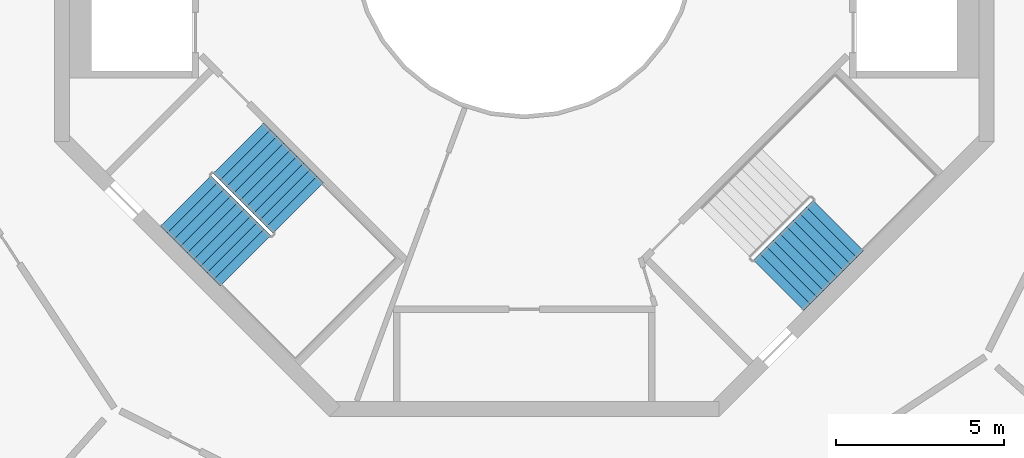
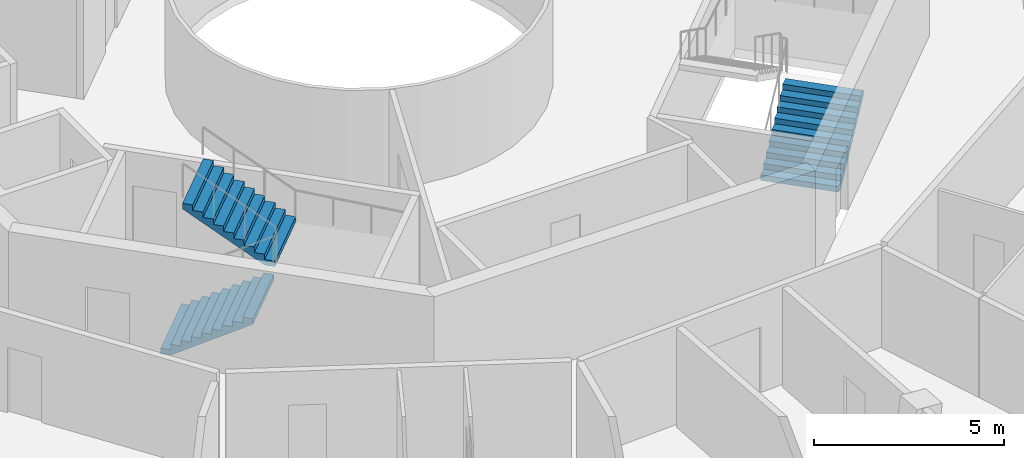
# One storey, part 24 of 26: 3 stair flights, 2 elements without a shape of their own.
"""IFC4 building model written with IfcOpenShell, lengths in metres."""

from ifc_helpers import new_model, si_unit, direction, frame, origin, place, context, subcontext, project, spatial, triangles, material, type_object, element, aggregate, save


model = new_model("IFC4")

# Units and contexts
model_context = context("Model", 3, precision=1e-05, world=origin(), true_north=direction((0.0, 1.0)))
body_context = subcontext(model_context, "Body", "Model", "MODEL_VIEW")
ifc_project = project(units=[si_unit("LENGTHUNIT", "METRE"), si_unit("AREAUNIT", "SQUARE_METRE"), si_unit("VOLUMEUNIT", "CUBIC_METRE"), si_unit("PLANEANGLEUNIT", "RADIAN"), si_unit("MASSUNIT", "GRAM", prefix="KILO")], contexts=[model_context])

# Site, building, storey
site_placement = place(None, origin())
site = spatial("IfcSite", under=ifc_project, at=site_placement, CompositionType="ELEMENT")
building_placement = place(site_placement, origin())
building = spatial("IfcBuilding", under=site, at=building_placement, Name="Verdalira Terraces Hotel", CompositionType="ELEMENT")
storey_placement = place(building_placement, frame((0.0, 0.0, 291.5)))
storey = spatial("IfcBuildingStorey", under=building, at=storey_placement, Name="L72", CompositionType="ELEMENT", Elevation=291.5)

# Stair, stair flights
ifc_material_1 = material(Name="Concrete C40", Category="concrete")
stair_type = type_object("IfcStairType", Name="Core stair 20 risers 2125 mm wide", PredefinedType="HALF_TURN_STAIR", material=ifc_material_1)
stair_1_placement = place(storey_placement, origin())
stair_1 = element("IfcStair", 1, at=stair_1_placement, inside=storey, type_object=stair_type, Name="L72 Exit stair ST2", PredefinedType="HALF_TURN_STAIR")
ifc_material_2 = material(Name="Concrete C40", Category="concrete")
stair_flight_type = type_object("IfcStairFlightType", Name="Core stair flight 20 risers 2125 mm wide", PredefinedType="STRAIGHT", material=ifc_material_2)
stair_flight_1_placement = place(storey_placement, frame((-10.085205, -7.574951, 0.0), z_axis=(0.0, 0.0, 1.0), x_axis=(0.707106781, -0.707106781, 0.0)))
stair_flight_1 = element("IfcStairFlight", 2, at=stair_flight_1_placement, type_object=stair_flight_type, Name="ST2 flight 1", NumberOfRisers=10, NumberOfTreads=9, PredefinedType="STRAIGHT", RiserHeight=0.175, TreadLength=0.28, context=body_context, shape_type="Tessellation", body=[
    triangles([(0.0, 1.0625, 0.0), (0.282715, 1.0625, 0.0), (2.52002, 1.0625, 1.398193), (0.0, -1.0625, 0.0), (0.282715, -1.0625, 0.0), (2.52002, -1.0625, 1.398193), (2.52002, 1.0625, 1.574951), (2.23999, 1.0625, 1.574951), (2.52002, -1.0625, 1.574951), (2.23999, -1.0625, 1.574951), (2.23999, 1.0625, 1.399902), (2.23999, -1.0625, 1.399902), (1.959961, 1.0625, 1.399902), (1.959961, -1.0625, 1.399902), (1.959961, 1.0625, 1.225098), (1.959961, -1.0625, 1.225098), (1.679932, 1.0625, 1.225098), (1.679932, 1.0625, 1.050049), (1.679932, -1.0625, 1.225098), (1.679932, -1.0625, 1.050049), (1.399902, 1.0625, 1.050049), (1.399902, 1.0625, 0.875), (1.399902, -1.0625, 1.050049), (1.399902, -1.0625, 0.875), (1.120117, 1.0625, 0.875), (1.120117, 1.0625, 0.699951), (1.120117, -1.0625, 0.875), (1.120117, -1.0625, 0.699951), (0.840088, 1.0625, 0.699951), (0.840088, 1.0625, 0.524902), (0.840088, -1.0625, 0.699951), (0.840088, -1.0625, 0.524902), (0.560059, 1.0625, 0.524902), (0.560059, 1.0625, 0.350098), (0.560059, -1.0625, 0.524902), (0.560059, -1.0625, 0.350098), (0.280029, 1.0625, 0.350098), (0.280029, 1.0625, 0.175049), (0.280029, -1.0625, 0.350098), (0.280029, -1.0625, 0.175049), (0.0, 1.0625, 0.175049), (0.0, -1.0625, 0.175049), (0.0, -0.996094, 0.0), (0.0, -0.996094, 0.175049), (0.0, -0.929688, 0.0), (0.0, -0.929688, 0.175049), (0.0, -0.863281, 0.0), (0.0, -0.863281, 0.175049), (0.0, -0.796875, 0.0), (0.0, -0.796875, 0.175049), (0.0, -0.730469, 0.0), (0.0, -0.730469, 0.175049), (0.0, -0.664062, 0.0), (0.0, -0.664062, 0.175049), (0.0, -0.597656, 0.0), (0.0, -0.597656, 0.175049), (0.0, -0.53125, 0.0), (0.0, -0.53125, 0.175049), (0.0, -0.464844, 0.0), (0.0, -0.464844, 0.175049), (0.0, -0.398438, 0.0), (0.0, -0.398438, 0.175049), (0.0, -0.332031, 0.0), (0.0, -0.332031, 0.175049), (0.0, -0.265625, 0.0), (0.0, -0.265625, 0.175049), (0.0, -0.199219, 0.0), (0.0, -0.199219, 0.175049), (0.0, -0.132812, 0.0), (0.0, -0.132812, 0.175049), (0.0, -0.066406, 0.0), (0.0, -0.066406, 0.175049), (0.0, 0.0, 0.0), (0.0, 0.0, 0.175049), (0.0, 0.066406, 0.0), (0.0, 0.066406, 0.175049), (0.0, 0.132812, 0.0), (0.0, 0.132812, 0.175049), (0.0, 0.199219, 0.0), (0.0, 0.199219, 0.175049), (0.0, 0.265625, 0.0), (0.0, 0.265625, 0.175049), (0.0, 0.332031, 0.0), (0.0, 0.332031, 0.175049), (0.0, 0.398438, 0.0), (0.0, 0.398438, 0.175049), (0.0, 0.464844, 0.0), (0.0, 0.464844, 0.175049), (0.0, 0.53125, 0.0), (0.0, 0.53125, 0.175049), (0.0, 0.597656, 0.0), (0.0, 0.597656, 0.175049), (0.0, 0.664062, 0.0), (0.0, 0.664062, 0.175049), (0.0, 0.730469, 0.0), (0.0, 0.730469, 0.175049), (0.0, 0.796875, 0.0), (0.0, 0.796875, 0.175049), (0.0, 0.863281, 0.0), (0.0, 0.863281, 0.175049), (0.0, 0.929688, 0.0), (0.0, 0.929688, 0.175049), (0.0, 0.996094, 0.0), (0.0, 0.996094, 0.175049), (2.52002, -0.996094, 1.574951), (2.52002, -0.929688, 1.574951), (2.52002, -0.863281, 1.574951), (2.52002, -0.796875, 1.574951), (2.52002, -0.730469, 1.574951), (2.52002, -0.664062, 1.574951), (2.52002, -0.597656, 1.574951), (2.52002, -0.53125, 1.574951), (2.52002, -0.464844, 1.574951), (2.52002, -0.398438, 1.574951), (2.52002, -0.332031, 1.574951), (2.52002, -0.265625, 1.574951), (2.52002, -0.199219, 1.574951), (2.52002, -0.132812, 1.574951), (2.52002, -0.066406, 1.574951), (2.52002, 0.0, 1.574951), (2.52002, 0.066406, 1.574951), (2.52002, 0.132812, 1.574951), (2.52002, 0.199219, 1.574951), (2.52002, 0.265625, 1.574951), (2.52002, 0.332031, 1.574951), (2.52002, 0.398438, 1.574951), (2.52002, 0.464844, 1.574951), (2.52002, 0.53125, 1.574951), (2.52002, 0.597656, 1.574951), (2.52002, 0.664062, 1.574951), (2.52002, 0.730469, 1.574951), (2.52002, 0.796875, 1.574951), (2.52002, 0.863281, 1.574951), (2.52002, 0.929688, 1.574951), (2.52002, 0.996094, 1.574951), (2.52002, -0.996094, 1.398193), (2.52002, -0.929688, 1.398193), (2.52002, -0.863281, 1.398193), (2.52002, -0.796875, 1.398193), (2.52002, -0.730469, 1.398193), (2.52002, -0.664062, 1.398193), (2.52002, -0.597656, 1.398193), (2.52002, -0.53125, 1.398193), (2.52002, -0.464844, 1.398193), (2.52002, -0.398438, 1.398193), (2.52002, -0.332031, 1.398193), (2.52002, -0.265625, 1.398193), (2.52002, -0.199219, 1.398193), (2.52002, -0.132812, 1.398193), (2.52002, -0.066406, 1.398193), (2.52002, 0.0, 1.398193), (2.52002, 0.066406, 1.398193), (2.52002, 0.132812, 1.398193), (2.52002, 0.199219, 1.398193), (2.52002, 0.265625, 1.398193), (2.52002, 0.332031, 1.398193), (2.52002, 0.398438, 1.398193), (2.52002, 0.464844, 1.398193), (2.52002, 0.53125, 1.398193), (2.52002, 0.597656, 1.398193), (2.52002, 0.664062, 1.398193), (2.52002, 0.730469, 1.398193), (2.52002, 0.796875, 1.398193), (2.52002, 0.863281, 1.398193), (2.52002, 0.929688, 1.398193), (2.52002, 0.996094, 1.398193)], [[1, 3, 2], [4, 5, 6], [3, 8, 7], [6, 9, 10], [3, 11, 8], [6, 10, 12], [3, 13, 11], [6, 12, 14], [3, 15, 13], [6, 14, 16], [15, 18, 17], [16, 19, 20], [3, 18, 15], [6, 16, 20], [18, 22, 21], [20, 23, 24], [3, 22, 18], [6, 20, 24], [22, 26, 25], [24, 27, 28], [3, 26, 22], [6, 24, 28], [26, 30, 29], [28, 31, 32], [3, 30, 26], [6, 28, 32], [1, 30, 3], [4, 6, 32], [30, 34, 33], [32, 35, 36], [34, 38, 37], [36, 39, 40], [30, 38, 34], [32, 36, 40], [1, 38, 30], [4, 32, 40], [38, 1, 41], [40, 42, 4], [4, 44, 43], [4, 42, 44], [43, 46, 45], [43, 44, 46], [45, 48, 47], [45, 46, 48], [47, 50, 49], [47, 48, 50], [49, 52, 51], [49, 50, 52], [51, 54, 53], [51, 52, 54], [53, 56, 55], [53, 54, 56], [55, 58, 57], [55, 56, 58], [57, 60, 59], [57, 58, 60], [59, 62, 61], [59, 60, 62], [61, 64, 63], [61, 62, 64], [63, 66, 65], [63, 64, 66], [65, 68, 67], [65, 66, 68], [67, 70, 69], [67, 68, 70], [69, 72, 71], [69, 70, 72], [71, 74, 73], [71, 72, 74], [73, 76, 75], [73, 74, 76], [75, 78, 77], [75, 76, 78], [77, 80, 79], [77, 78, 80], [79, 82, 81], [79, 80, 82], [81, 84, 83], [81, 82, 84], [83, 86, 85], [83, 84, 86], [85, 88, 87], [85, 86, 88], [87, 90, 89], [87, 88, 90], [89, 92, 91], [89, 90, 92], [91, 94, 93], [91, 92, 94], [93, 96, 95], [93, 94, 96], [95, 98, 97], [95, 96, 98], [97, 100, 99], [97, 98, 100], [99, 102, 101], [99, 100, 102], [101, 104, 103], [101, 102, 104], [103, 41, 1], [103, 104, 41], [42, 40, 44], [44, 40, 46], [46, 40, 48], [48, 40, 50], [50, 40, 52], [52, 40, 54], [54, 40, 56], [56, 40, 58], [58, 40, 60], [60, 40, 62], [62, 40, 64], [64, 40, 66], [66, 40, 68], [68, 40, 70], [70, 40, 72], [72, 40, 74], [74, 40, 76], [76, 40, 78], [78, 40, 80], [80, 40, 82], [82, 40, 84], [84, 40, 86], [86, 40, 88], [88, 40, 90], [90, 40, 92], [92, 40, 94], [94, 40, 96], [96, 40, 98], [98, 40, 100], [100, 40, 102], [102, 40, 104], [104, 40, 41], [41, 40, 38], [40, 37, 38], [40, 39, 37], [39, 34, 37], [39, 36, 34], [36, 33, 34], [36, 35, 33], [35, 30, 33], [35, 32, 30], [32, 29, 30], [32, 31, 29], [31, 26, 29], [31, 28, 26], [28, 25, 26], [28, 27, 25], [27, 22, 25], [27, 24, 22], [24, 21, 22], [24, 23, 21], [23, 18, 21], [23, 20, 18], [20, 17, 18], [20, 19, 17], [19, 15, 17], [19, 16, 15], [16, 13, 15], [16, 14, 13], [14, 11, 13], [14, 12, 11], [12, 8, 11], [12, 10, 8], [9, 105, 10], [105, 106, 10], [106, 107, 10], [107, 108, 10], [108, 109, 10], [109, 110, 10], [110, 111, 10], [111, 112, 10], [112, 113, 10], [113, 114, 10], [114, 115, 10], [115, 116, 10], [116, 117, 10], [117, 118, 10], [118, 119, 10], [119, 120, 10], [120, 121, 10], [121, 122, 10], [122, 123, 10], [123, 124, 10], [124, 125, 10], [125, 126, 10], [126, 127, 10], [127, 128, 10], [128, 129, 10], [129, 130, 10], [130, 131, 10], [131, 132, 10], [132, 133, 10], [133, 134, 10], [134, 135, 10], [135, 7, 10], [7, 8, 10], [9, 136, 105], [9, 6, 136], [105, 137, 106], [105, 136, 137], [106, 138, 107], [106, 137, 138], [107, 139, 108], [107, 138, 139], [108, 140, 109], [108, 139, 140], [109, 141, 110], [109, 140, 141], [110, 142, 111], [110, 141, 142], [111, 143, 112], [111, 142, 143], [112, 144, 113], [112, 143, 144], [113, 145, 114], [113, 144, 145], [114, 146, 115], [114, 145, 146], [115, 147, 116], [115, 146, 147], [116, 148, 117], [116, 147, 148], [117, 149, 118], [117, 148, 149], [118, 150, 119], [118, 149, 150], [119, 151, 120], [119, 150, 151], [120, 152, 121], [120, 151, 152], [121, 153, 122], [121, 152, 153], [122, 154, 123], [122, 153, 154], [123, 155, 124], [123, 154, 155], [124, 156, 125], [124, 155, 156], [125, 157, 126], [125, 156, 157], [126, 158, 127], [126, 157, 158], [127, 159, 128], [127, 158, 159], [128, 160, 129], [128, 159, 160], [129, 161, 130], [129, 160, 161], [130, 162, 131], [130, 161, 162], [131, 163, 132], [131, 162, 163], [132, 164, 133], [132, 163, 164], [133, 165, 134], [133, 164, 165], [134, 166, 135], [134, 165, 166], [135, 3, 7], [135, 166, 3], [6, 5, 136], [136, 5, 137], [137, 5, 138], [138, 5, 139], [139, 5, 140], [140, 5, 141], [141, 5, 142], [142, 5, 143], [143, 5, 144], [144, 5, 145], [145, 5, 146], [146, 5, 147], [147, 5, 148], [148, 5, 149], [149, 5, 150], [150, 5, 151], [151, 5, 152], [152, 5, 153], [153, 5, 154], [154, 5, 155], [155, 5, 156], [156, 5, 157], [157, 5, 158], [158, 5, 159], [159, 5, 160], [160, 5, 161], [161, 5, 162], [162, 5, 163], [163, 5, 164], [164, 5, 165], [165, 5, 166], [166, 5, 3], [3, 5, 2], [4, 43, 5], [43, 45, 5], [45, 47, 5], [47, 49, 5], [49, 51, 5], [51, 53, 5], [53, 55, 5], [55, 57, 5], [57, 59, 5], [59, 61, 5], [61, 63, 5], [63, 65, 5], [65, 67, 5], [67, 69, 5], [69, 71, 5], [71, 73, 5], [73, 75, 5], [75, 77, 5], [77, 79, 5], [79, 81, 5], [81, 83, 5], [83, 85, 5], [85, 87, 5], [87, 89, 5], [89, 91, 5], [91, 93, 5], [93, 95, 5], [95, 97, 5], [97, 99, 5], [99, 101, 5], [101, 103, 5], [103, 1, 5], [1, 2, 5]], closed=True),
])
stair_flight_2_placement = place(storey_placement, frame((-6.72998, -7.783447, 1.75), z_axis=(0.0, 0.0, 1.0), x_axis=(-0.707106781, 0.707106781, 0.0)))
stair_flight_2 = element("IfcStairFlight", 3, at=stair_flight_2_placement, type_object=stair_flight_type, Name="ST2 flight 2", NumberOfRisers=10, NumberOfTreads=9, PredefinedType="STRAIGHT", RiserHeight=0.175, TreadLength=0.28, context=body_context, shape_type="Tessellation", body=[
    triangles([(0.0, 1.0625, 0.0), (0.282715, 1.0625, 0.0), (2.52002, 1.0625, 1.398193), (0.0, -1.0625, 0.0), (0.282715, -1.0625, 0.0), (2.52002, -1.0625, 1.398193), (2.52002, 1.0625, 1.574951), (2.23999, 1.0625, 1.574951), (2.52002, -1.0625, 1.574951), (2.23999, -1.0625, 1.574951), (2.23999, 1.0625, 1.399902), (2.23999, -1.0625, 1.399902), (1.959961, 1.0625, 1.399902), (1.959961, -1.0625, 1.399902), (1.959961, 1.0625, 1.225098), (1.959961, -1.0625, 1.225098), (1.679932, 1.0625, 1.225098), (1.679932, 1.0625, 1.050049), (1.679932, -1.0625, 1.225098), (1.679932, -1.0625, 1.050049), (1.399902, 1.0625, 1.050049), (1.399902, 1.0625, 0.875), (1.399902, -1.0625, 1.050049), (1.399902, -1.0625, 0.875), (1.120117, 1.0625, 0.875), (1.120117, 1.0625, 0.699951), (1.120117, -1.0625, 0.875), (1.120117, -1.0625, 0.699951), (0.840088, 1.0625, 0.699951), (0.840088, 1.0625, 0.524902), (0.840088, -1.0625, 0.699951), (0.840088, -1.0625, 0.524902), (0.560059, 1.0625, 0.524902), (0.560059, 1.0625, 0.350098), (0.560059, -1.0625, 0.524902), (0.560059, -1.0625, 0.350098), (0.280029, 1.0625, 0.350098), (0.280029, 1.0625, 0.175049), (0.280029, -1.0625, 0.350098), (0.280029, -1.0625, 0.175049), (0.0, 1.0625, 0.175049), (0.0, -1.0625, 0.175049), (0.0, -0.996094, 0.0), (0.0, -0.996094, 0.175049), (0.0, -0.929688, 0.0), (0.0, -0.929688, 0.175049), (0.0, -0.863281, 0.0), (0.0, -0.863281, 0.175049), (0.0, -0.796875, 0.0), (0.0, -0.796875, 0.175049), (0.0, -0.730469, 0.0), (0.0, -0.730469, 0.175049), (0.0, -0.664062, 0.0), (0.0, -0.664062, 0.175049), (0.0, -0.597656, 0.0), (0.0, -0.597656, 0.175049), (0.0, -0.53125, 0.0), (0.0, -0.53125, 0.175049), (0.0, -0.464844, 0.0), (0.0, -0.464844, 0.175049), (0.0, -0.398438, 0.0), (0.0, -0.398438, 0.175049), (0.0, -0.332031, 0.0), (0.0, -0.332031, 0.175049), (0.0, -0.265625, 0.0), (0.0, -0.265625, 0.175049), (0.0, -0.199219, 0.0), (0.0, -0.199219, 0.175049), (0.0, -0.132812, 0.0), (0.0, -0.132812, 0.175049), (0.0, -0.066406, 0.0), (0.0, -0.066406, 0.175049), (0.0, 0.0, 0.0), (0.0, 0.0, 0.175049), (0.0, 0.066406, 0.0), (0.0, 0.066406, 0.175049), (0.0, 0.132812, 0.0), (0.0, 0.132812, 0.175049), (0.0, 0.199219, 0.0), (0.0, 0.199219, 0.175049), (0.0, 0.265625, 0.0), (0.0, 0.265625, 0.175049), (0.0, 0.332031, 0.0), (0.0, 0.332031, 0.175049), (0.0, 0.398438, 0.0), (0.0, 0.398438, 0.175049), (0.0, 0.464844, 0.0), (0.0, 0.464844, 0.175049), (0.0, 0.53125, 0.0), (0.0, 0.53125, 0.175049), (0.0, 0.597656, 0.0), (0.0, 0.597656, 0.175049), (0.0, 0.664062, 0.0), (0.0, 0.664062, 0.175049), (0.0, 0.730469, 0.0), (0.0, 0.730469, 0.175049), (0.0, 0.796875, 0.0), (0.0, 0.796875, 0.175049), (0.0, 0.863281, 0.0), (0.0, 0.863281, 0.175049), (0.0, 0.929688, 0.0), (0.0, 0.929688, 0.175049), (0.0, 0.996094, 0.0), (0.0, 0.996094, 0.175049), (2.52002, -0.996094, 1.574951), (2.52002, -0.929688, 1.574951), (2.52002, -0.863281, 1.574951), (2.52002, -0.796875, 1.574951), (2.52002, -0.730469, 1.574951), (2.52002, -0.664062, 1.574951), (2.52002, -0.597656, 1.574951), (2.52002, -0.53125, 1.574951), (2.52002, -0.464844, 1.574951), (2.52002, -0.398438, 1.574951), (2.52002, -0.332031, 1.574951), (2.52002, -0.265625, 1.574951), (2.52002, -0.199219, 1.574951), (2.52002, -0.132812, 1.574951), (2.52002, -0.066406, 1.574951), (2.52002, 0.0, 1.574951), (2.52002, 0.066406, 1.574951), (2.52002, 0.132812, 1.574951), (2.52002, 0.199219, 1.574951), (2.52002, 0.265625, 1.574951), (2.52002, 0.332031, 1.574951), (2.52002, 0.398438, 1.574951), (2.52002, 0.464844, 1.574951), (2.52002, 0.53125, 1.574951), (2.52002, 0.597656, 1.574951), (2.52002, 0.664062, 1.574951), (2.52002, 0.730469, 1.574951), (2.52002, 0.796875, 1.574951), (2.52002, 0.863281, 1.574951), (2.52002, 0.929688, 1.574951), (2.52002, 0.996094, 1.574951), (2.52002, -0.996094, 1.398193), (2.52002, -0.929688, 1.398193), (2.52002, -0.863281, 1.398193), (2.52002, -0.796875, 1.398193), (2.52002, -0.730469, 1.398193), (2.52002, -0.664062, 1.398193), (2.52002, -0.597656, 1.398193), (2.52002, -0.53125, 1.398193), (2.52002, -0.464844, 1.398193), (2.52002, -0.398438, 1.398193), (2.52002, -0.332031, 1.398193), (2.52002, -0.265625, 1.398193), (2.52002, -0.199219, 1.398193), (2.52002, -0.132812, 1.398193), (2.52002, -0.066406, 1.398193), (2.52002, 0.0, 1.398193), (2.52002, 0.066406, 1.398193), (2.52002, 0.132812, 1.398193), (2.52002, 0.199219, 1.398193), (2.52002, 0.265625, 1.398193), (2.52002, 0.332031, 1.398193), (2.52002, 0.398438, 1.398193), (2.52002, 0.464844, 1.398193), (2.52002, 0.53125, 1.398193), (2.52002, 0.597656, 1.398193), (2.52002, 0.664062, 1.398193), (2.52002, 0.730469, 1.398193), (2.52002, 0.796875, 1.398193), (2.52002, 0.863281, 1.398193), (2.52002, 0.929688, 1.398193), (2.52002, 0.996094, 1.398193)], [[1, 3, 2], [4, 5, 6], [3, 8, 7], [6, 9, 10], [3, 11, 8], [6, 10, 12], [3, 13, 11], [6, 12, 14], [3, 15, 13], [6, 14, 16], [15, 18, 17], [16, 19, 20], [3, 18, 15], [6, 16, 20], [18, 22, 21], [20, 23, 24], [3, 22, 18], [6, 20, 24], [22, 26, 25], [24, 27, 28], [3, 26, 22], [6, 24, 28], [26, 30, 29], [28, 31, 32], [3, 30, 26], [6, 28, 32], [1, 30, 3], [4, 6, 32], [30, 34, 33], [32, 35, 36], [34, 38, 37], [36, 39, 40], [30, 38, 34], [32, 36, 40], [1, 38, 30], [4, 32, 40], [38, 1, 41], [40, 42, 4], [4, 44, 43], [4, 42, 44], [43, 46, 45], [43, 44, 46], [45, 48, 47], [45, 46, 48], [47, 50, 49], [47, 48, 50], [49, 52, 51], [49, 50, 52], [51, 54, 53], [51, 52, 54], [53, 56, 55], [53, 54, 56], [55, 58, 57], [55, 56, 58], [57, 60, 59], [57, 58, 60], [59, 62, 61], [59, 60, 62], [61, 64, 63], [61, 62, 64], [63, 66, 65], [63, 64, 66], [65, 68, 67], [65, 66, 68], [67, 70, 69], [67, 68, 70], [69, 72, 71], [69, 70, 72], [71, 74, 73], [71, 72, 74], [73, 76, 75], [73, 74, 76], [75, 78, 77], [75, 76, 78], [77, 80, 79], [77, 78, 80], [79, 82, 81], [79, 80, 82], [81, 84, 83], [81, 82, 84], [83, 86, 85], [83, 84, 86], [85, 88, 87], [85, 86, 88], [87, 90, 89], [87, 88, 90], [89, 92, 91], [89, 90, 92], [91, 94, 93], [91, 92, 94], [93, 96, 95], [93, 94, 96], [95, 98, 97], [95, 96, 98], [97, 100, 99], [97, 98, 100], [99, 102, 101], [99, 100, 102], [101, 104, 103], [101, 102, 104], [103, 41, 1], [103, 104, 41], [42, 40, 44], [44, 40, 46], [46, 40, 48], [48, 40, 50], [50, 40, 52], [52, 40, 54], [54, 40, 56], [56, 40, 58], [58, 40, 60], [60, 40, 62], [62, 40, 64], [64, 40, 66], [66, 40, 68], [68, 40, 70], [70, 40, 72], [72, 40, 74], [74, 40, 76], [76, 40, 78], [78, 40, 80], [80, 40, 82], [82, 40, 84], [84, 40, 86], [86, 40, 88], [88, 40, 90], [90, 40, 92], [92, 40, 94], [94, 40, 96], [96, 40, 98], [98, 40, 100], [100, 40, 102], [102, 40, 104], [104, 40, 41], [41, 40, 38], [40, 37, 38], [40, 39, 37], [39, 34, 37], [39, 36, 34], [36, 33, 34], [36, 35, 33], [35, 30, 33], [35, 32, 30], [32, 29, 30], [32, 31, 29], [31, 26, 29], [31, 28, 26], [28, 25, 26], [28, 27, 25], [27, 22, 25], [27, 24, 22], [24, 21, 22], [24, 23, 21], [23, 18, 21], [23, 20, 18], [20, 17, 18], [20, 19, 17], [19, 15, 17], [19, 16, 15], [16, 13, 15], [16, 14, 13], [14, 11, 13], [14, 12, 11], [12, 8, 11], [12, 10, 8], [9, 105, 10], [105, 106, 10], [106, 107, 10], [107, 108, 10], [108, 109, 10], [109, 110, 10], [110, 111, 10], [111, 112, 10], [112, 113, 10], [113, 114, 10], [114, 115, 10], [115, 116, 10], [116, 117, 10], [117, 118, 10], [118, 119, 10], [119, 120, 10], [120, 121, 10], [121, 122, 10], [122, 123, 10], [123, 124, 10], [124, 125, 10], [125, 126, 10], [126, 127, 10], [127, 128, 10], [128, 129, 10], [129, 130, 10], [130, 131, 10], [131, 132, 10], [132, 133, 10], [133, 134, 10], [134, 135, 10], [135, 7, 10], [7, 8, 10], [9, 136, 105], [9, 6, 136], [105, 137, 106], [105, 136, 137], [106, 138, 107], [106, 137, 138], [107, 139, 108], [107, 138, 139], [108, 140, 109], [108, 139, 140], [109, 141, 110], [109, 140, 141], [110, 142, 111], [110, 141, 142], [111, 143, 112], [111, 142, 143], [112, 144, 113], [112, 143, 144], [113, 145, 114], [113, 144, 145], [114, 146, 115], [114, 145, 146], [115, 147, 116], [115, 146, 147], [116, 148, 117], [116, 147, 148], [117, 149, 118], [117, 148, 149], [118, 150, 119], [118, 149, 150], [119, 151, 120], [119, 150, 151], [120, 152, 121], [120, 151, 152], [121, 153, 122], [121, 152, 153], [122, 154, 123], [122, 153, 154], [123, 155, 124], [123, 154, 155], [124, 156, 125], [124, 155, 156], [125, 157, 126], [125, 156, 157], [126, 158, 127], [126, 157, 158], [127, 159, 128], [127, 158, 159], [128, 160, 129], [128, 159, 160], [129, 161, 130], [129, 160, 161], [130, 162, 131], [130, 161, 162], [131, 163, 132], [131, 162, 163], [132, 164, 133], [132, 163, 164], [133, 165, 134], [133, 164, 165], [134, 166, 135], [134, 165, 166], [135, 3, 7], [135, 166, 3], [6, 5, 136], [136, 5, 137], [137, 5, 138], [138, 5, 139], [139, 5, 140], [140, 5, 141], [141, 5, 142], [142, 5, 143], [143, 5, 144], [144, 5, 145], [145, 5, 146], [146, 5, 147], [147, 5, 148], [148, 5, 149], [149, 5, 150], [150, 5, 151], [151, 5, 152], [152, 5, 153], [153, 5, 154], [154, 5, 155], [155, 5, 156], [156, 5, 157], [157, 5, 158], [158, 5, 159], [159, 5, 160], [160, 5, 161], [161, 5, 162], [162, 5, 163], [163, 5, 164], [164, 5, 165], [165, 5, 166], [166, 5, 3], [3, 5, 2], [4, 43, 5], [43, 45, 5], [45, 47, 5], [47, 49, 5], [49, 51, 5], [51, 53, 5], [53, 55, 5], [55, 57, 5], [57, 59, 5], [59, 61, 5], [61, 63, 5], [63, 65, 5], [65, 67, 5], [67, 69, 5], [69, 71, 5], [71, 73, 5], [73, 75, 5], [75, 77, 5], [77, 79, 5], [79, 81, 5], [81, 83, 5], [83, 85, 5], [85, 87, 5], [87, 89, 5], [89, 91, 5], [91, 93, 5], [93, 95, 5], [95, 97, 5], [97, 99, 5], [99, 101, 5], [101, 103, 5], [103, 1, 5], [1, 2, 5]], closed=True),
])
aggregate(stair_1, [stair_flight_1, stair_flight_2])

# Stair, stair flight
stair_2_placement = place(storey_placement, origin())
stair_2 = element("IfcStair", 4, at=stair_2_placement, inside=storey, type_object=stair_type, Name="L72 Exit stair ST3", PredefinedType="HALF_TURN_STAIR")
stair_flight_3_placement = place(storey_placement, frame((7.574951, -10.085205, 0.0), z_axis=(0.0, 0.0, 1.0), x_axis=(0.707106781, 0.707106781, 0.0)))
stair_flight_3 = element("IfcStairFlight", 5, at=stair_flight_3_placement, type_object=stair_flight_type, Name="ST3 flight 1", NumberOfRisers=10, NumberOfTreads=9, PredefinedType="STRAIGHT", RiserHeight=0.175, TreadLength=0.28, context=body_context, shape_type="Tessellation", body=[
    triangles([(0.0, 1.0625, 0.0), (0.282715, 1.0625, 0.0), (2.52002, 1.0625, 1.398193), (0.0, -1.0625, 0.0), (0.282715, -1.0625, 0.0), (2.52002, -1.0625, 1.398193), (2.52002, 1.0625, 1.574951), (2.23999, 1.0625, 1.574951), (2.52002, -1.0625, 1.574951), (2.23999, -1.0625, 1.574951), (2.23999, 1.0625, 1.399902), (2.23999, -1.0625, 1.399902), (1.959961, 1.0625, 1.399902), (1.959961, -1.0625, 1.399902), (1.959961, 1.0625, 1.225098), (1.959961, -1.0625, 1.225098), (1.679932, 1.0625, 1.225098), (1.679932, 1.0625, 1.050049), (1.679932, -1.0625, 1.225098), (1.679932, -1.0625, 1.050049), (1.399902, 1.0625, 1.050049), (1.399902, 1.0625, 0.875), (1.399902, -1.0625, 1.050049), (1.399902, -1.0625, 0.875), (1.120117, 1.0625, 0.875), (1.120117, 1.0625, 0.699951), (1.120117, -1.0625, 0.875), (1.120117, -1.0625, 0.699951), (0.840088, 1.0625, 0.699951), (0.840088, 1.0625, 0.524902), (0.840088, -1.0625, 0.699951), (0.840088, -1.0625, 0.524902), (0.560059, 1.0625, 0.524902), (0.560059, 1.0625, 0.350098), (0.560059, -1.0625, 0.524902), (0.560059, -1.0625, 0.350098), (0.280029, 1.0625, 0.350098), (0.280029, 1.0625, 0.175049), (0.280029, -1.0625, 0.350098), (0.280029, -1.0625, 0.175049), (0.0, 1.0625, 0.175049), (0.0, -1.0625, 0.175049), (0.0, -0.996094, 0.0), (0.0, -0.996094, 0.175049), (0.0, -0.929688, 0.0), (0.0, -0.929688, 0.175049), (0.0, -0.863281, 0.0), (0.0, -0.863281, 0.175049), (0.0, -0.796875, 0.0), (0.0, -0.796875, 0.175049), (0.0, -0.730469, 0.0), (0.0, -0.730469, 0.175049), (0.0, -0.664062, 0.0), (0.0, -0.664062, 0.175049), (0.0, -0.597656, 0.0), (0.0, -0.597656, 0.175049), (0.0, -0.53125, 0.0), (0.0, -0.53125, 0.175049), (0.0, -0.464844, 0.0), (0.0, -0.464844, 0.175049), (0.0, -0.398438, 0.0), (0.0, -0.398438, 0.175049), (0.0, -0.332031, 0.0), (0.0, -0.332031, 0.175049), (0.0, -0.265625, 0.0), (0.0, -0.265625, 0.175049), (0.0, -0.199219, 0.0), (0.0, -0.199219, 0.175049), (0.0, -0.132812, 0.0), (0.0, -0.132812, 0.175049), (0.0, -0.066406, 0.0), (0.0, -0.066406, 0.175049), (0.0, 0.0, 0.0), (0.0, 0.0, 0.175049), (0.0, 0.066406, 0.0), (0.0, 0.066406, 0.175049), (0.0, 0.132812, 0.0), (0.0, 0.132812, 0.175049), (0.0, 0.199219, 0.0), (0.0, 0.199219, 0.175049), (0.0, 0.265625, 0.0), (0.0, 0.265625, 0.175049), (0.0, 0.332031, 0.0), (0.0, 0.332031, 0.175049), (0.0, 0.398438, 0.0), (0.0, 0.398438, 0.175049), (0.0, 0.464844, 0.0), (0.0, 0.464844, 0.175049), (0.0, 0.53125, 0.0), (0.0, 0.53125, 0.175049), (0.0, 0.597656, 0.0), (0.0, 0.597656, 0.175049), (0.0, 0.664062, 0.0), (0.0, 0.664062, 0.175049), (0.0, 0.730469, 0.0), (0.0, 0.730469, 0.175049), (0.0, 0.796875, 0.0), (0.0, 0.796875, 0.175049), (0.0, 0.863281, 0.0), (0.0, 0.863281, 0.175049), (0.0, 0.929688, 0.0), (0.0, 0.929688, 0.175049), (0.0, 0.996094, 0.0), (0.0, 0.996094, 0.175049), (2.52002, -0.996094, 1.574951), (2.52002, -0.929688, 1.574951), (2.52002, -0.863281, 1.574951), (2.52002, -0.796875, 1.574951), (2.52002, -0.730469, 1.574951), (2.52002, -0.664062, 1.574951), (2.52002, -0.597656, 1.574951), (2.52002, -0.53125, 1.574951), (2.52002, -0.464844, 1.574951), (2.52002, -0.398438, 1.574951), (2.52002, -0.332031, 1.574951), (2.52002, -0.265625, 1.574951), (2.52002, -0.199219, 1.574951), (2.52002, -0.132812, 1.574951), (2.52002, -0.066406, 1.574951), (2.52002, 0.0, 1.574951), (2.52002, 0.066406, 1.574951), (2.52002, 0.132812, 1.574951), (2.52002, 0.199219, 1.574951), (2.52002, 0.265625, 1.574951), (2.52002, 0.332031, 1.574951), (2.52002, 0.398438, 1.574951), (2.52002, 0.464844, 1.574951), (2.52002, 0.53125, 1.574951), (2.52002, 0.597656, 1.574951), (2.52002, 0.664062, 1.574951), (2.52002, 0.730469, 1.574951), (2.52002, 0.796875, 1.574951), (2.52002, 0.863281, 1.574951), (2.52002, 0.929688, 1.574951), (2.52002, 0.996094, 1.574951), (2.52002, -0.996094, 1.398193), (2.52002, -0.929688, 1.398193), (2.52002, -0.863281, 1.398193), (2.52002, -0.796875, 1.398193), (2.52002, -0.730469, 1.398193), (2.52002, -0.664062, 1.398193), (2.52002, -0.597656, 1.398193), (2.52002, -0.53125, 1.398193), (2.52002, -0.464844, 1.398193), (2.52002, -0.398438, 1.398193), (2.52002, -0.332031, 1.398193), (2.52002, -0.265625, 1.398193), (2.52002, -0.199219, 1.398193), (2.52002, -0.132812, 1.398193), (2.52002, -0.066406, 1.398193), (2.52002, 0.0, 1.398193), (2.52002, 0.066406, 1.398193), (2.52002, 0.132812, 1.398193), (2.52002, 0.199219, 1.398193), (2.52002, 0.265625, 1.398193), (2.52002, 0.332031, 1.398193), (2.52002, 0.398438, 1.398193), (2.52002, 0.464844, 1.398193), (2.52002, 0.53125, 1.398193), (2.52002, 0.597656, 1.398193), (2.52002, 0.664062, 1.398193), (2.52002, 0.730469, 1.398193), (2.52002, 0.796875, 1.398193), (2.52002, 0.863281, 1.398193), (2.52002, 0.929688, 1.398193), (2.52002, 0.996094, 1.398193)], [[1, 3, 2], [4, 5, 6], [3, 8, 7], [6, 9, 10], [3, 11, 8], [6, 10, 12], [3, 13, 11], [6, 12, 14], [3, 15, 13], [6, 14, 16], [15, 18, 17], [16, 19, 20], [3, 18, 15], [6, 16, 20], [18, 22, 21], [20, 23, 24], [3, 22, 18], [6, 20, 24], [22, 26, 25], [24, 27, 28], [3, 26, 22], [6, 24, 28], [26, 30, 29], [28, 31, 32], [3, 30, 26], [6, 28, 32], [1, 30, 3], [4, 6, 32], [30, 34, 33], [32, 35, 36], [34, 38, 37], [36, 39, 40], [30, 38, 34], [32, 36, 40], [1, 38, 30], [4, 32, 40], [38, 1, 41], [40, 42, 4], [4, 44, 43], [4, 42, 44], [43, 46, 45], [43, 44, 46], [45, 48, 47], [45, 46, 48], [47, 50, 49], [47, 48, 50], [49, 52, 51], [49, 50, 52], [51, 54, 53], [51, 52, 54], [53, 56, 55], [53, 54, 56], [55, 58, 57], [55, 56, 58], [57, 60, 59], [57, 58, 60], [59, 62, 61], [59, 60, 62], [61, 64, 63], [61, 62, 64], [63, 66, 65], [63, 64, 66], [65, 68, 67], [65, 66, 68], [67, 70, 69], [67, 68, 70], [69, 72, 71], [69, 70, 72], [71, 74, 73], [71, 72, 74], [73, 76, 75], [73, 74, 76], [75, 78, 77], [75, 76, 78], [77, 80, 79], [77, 78, 80], [79, 82, 81], [79, 80, 82], [81, 84, 83], [81, 82, 84], [83, 86, 85], [83, 84, 86], [85, 88, 87], [85, 86, 88], [87, 90, 89], [87, 88, 90], [89, 92, 91], [89, 90, 92], [91, 94, 93], [91, 92, 94], [93, 96, 95], [93, 94, 96], [95, 98, 97], [95, 96, 98], [97, 100, 99], [97, 98, 100], [99, 102, 101], [99, 100, 102], [101, 104, 103], [101, 102, 104], [103, 41, 1], [103, 104, 41], [42, 40, 44], [44, 40, 46], [46, 40, 48], [48, 40, 50], [50, 40, 52], [52, 40, 54], [54, 40, 56], [56, 40, 58], [58, 40, 60], [60, 40, 62], [62, 40, 64], [64, 40, 66], [66, 40, 68], [68, 40, 70], [70, 40, 72], [72, 40, 74], [74, 40, 76], [76, 40, 78], [78, 40, 80], [80, 40, 82], [82, 40, 84], [84, 40, 86], [86, 40, 88], [88, 40, 90], [90, 40, 92], [92, 40, 94], [94, 40, 96], [96, 40, 98], [98, 40, 100], [100, 40, 102], [102, 40, 104], [104, 40, 41], [41, 40, 38], [40, 37, 38], [40, 39, 37], [39, 34, 37], [39, 36, 34], [36, 33, 34], [36, 35, 33], [35, 30, 33], [35, 32, 30], [32, 29, 30], [32, 31, 29], [31, 26, 29], [31, 28, 26], [28, 25, 26], [28, 27, 25], [27, 22, 25], [27, 24, 22], [24, 21, 22], [24, 23, 21], [23, 18, 21], [23, 20, 18], [20, 17, 18], [20, 19, 17], [19, 15, 17], [19, 16, 15], [16, 13, 15], [16, 14, 13], [14, 11, 13], [14, 12, 11], [12, 8, 11], [12, 10, 8], [9, 105, 10], [105, 106, 10], [106, 107, 10], [107, 108, 10], [108, 109, 10], [109, 110, 10], [110, 111, 10], [111, 112, 10], [112, 113, 10], [113, 114, 10], [114, 115, 10], [115, 116, 10], [116, 117, 10], [117, 118, 10], [118, 119, 10], [119, 120, 10], [120, 121, 10], [121, 122, 10], [122, 123, 10], [123, 124, 10], [124, 125, 10], [125, 126, 10], [126, 127, 10], [127, 128, 10], [128, 129, 10], [129, 130, 10], [130, 131, 10], [131, 132, 10], [132, 133, 10], [133, 134, 10], [134, 135, 10], [135, 7, 10], [7, 8, 10], [9, 136, 105], [9, 6, 136], [105, 137, 106], [105, 136, 137], [106, 138, 107], [106, 137, 138], [107, 139, 108], [107, 138, 139], [108, 140, 109], [108, 139, 140], [109, 141, 110], [109, 140, 141], [110, 142, 111], [110, 141, 142], [111, 143, 112], [111, 142, 143], [112, 144, 113], [112, 143, 144], [113, 145, 114], [113, 144, 145], [114, 146, 115], [114, 145, 146], [115, 147, 116], [115, 146, 147], [116, 148, 117], [116, 147, 148], [117, 149, 118], [117, 148, 149], [118, 150, 119], [118, 149, 150], [119, 151, 120], [119, 150, 151], [120, 152, 121], [120, 151, 152], [121, 153, 122], [121, 152, 153], [122, 154, 123], [122, 153, 154], [123, 155, 124], [123, 154, 155], [124, 156, 125], [124, 155, 156], [125, 157, 126], [125, 156, 157], [126, 158, 127], [126, 157, 158], [127, 159, 128], [127, 158, 159], [128, 160, 129], [128, 159, 160], [129, 161, 130], [129, 160, 161], [130, 162, 131], [130, 161, 162], [131, 163, 132], [131, 162, 163], [132, 164, 133], [132, 163, 164], [133, 165, 134], [133, 164, 165], [134, 166, 135], [134, 165, 166], [135, 3, 7], [135, 166, 3], [6, 5, 136], [136, 5, 137], [137, 5, 138], [138, 5, 139], [139, 5, 140], [140, 5, 141], [141, 5, 142], [142, 5, 143], [143, 5, 144], [144, 5, 145], [145, 5, 146], [146, 5, 147], [147, 5, 148], [148, 5, 149], [149, 5, 150], [150, 5, 151], [151, 5, 152], [152, 5, 153], [153, 5, 154], [154, 5, 155], [155, 5, 156], [156, 5, 157], [157, 5, 158], [158, 5, 159], [159, 5, 160], [160, 5, 161], [161, 5, 162], [162, 5, 163], [163, 5, 164], [164, 5, 165], [165, 5, 166], [166, 5, 3], [3, 5, 2], [4, 43, 5], [43, 45, 5], [45, 47, 5], [47, 49, 5], [49, 51, 5], [51, 53, 5], [53, 55, 5], [55, 57, 5], [57, 59, 5], [59, 61, 5], [61, 63, 5], [63, 65, 5], [65, 67, 5], [67, 69, 5], [69, 71, 5], [71, 73, 5], [73, 75, 5], [75, 77, 5], [77, 79, 5], [79, 81, 5], [81, 83, 5], [83, 85, 5], [85, 87, 5], [87, 89, 5], [89, 91, 5], [91, 93, 5], [93, 95, 5], [95, 97, 5], [97, 99, 5], [99, 101, 5], [101, 103, 5], [103, 1, 5], [1, 2, 5]], closed=True),
])
aggregate(stair_2, [stair_flight_3])

save(model, "model.ifc")
